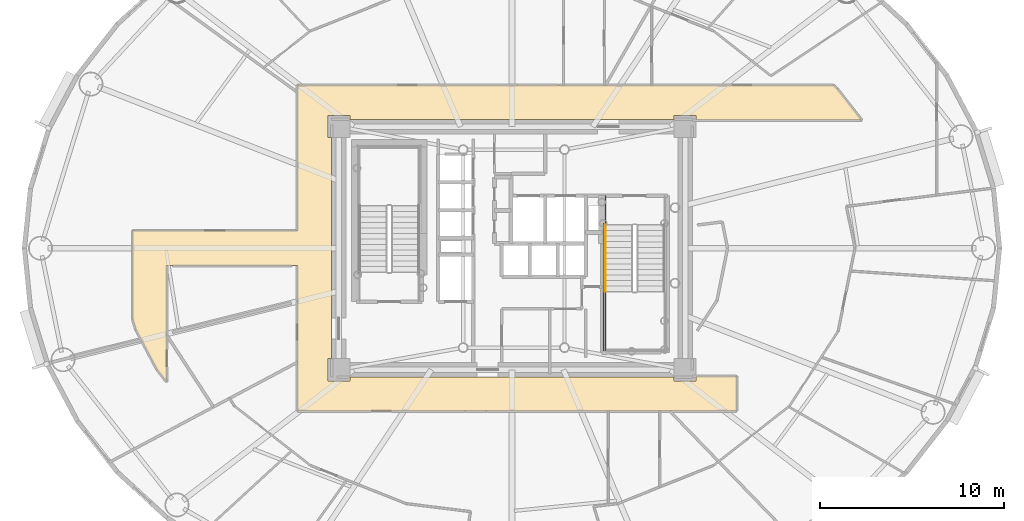
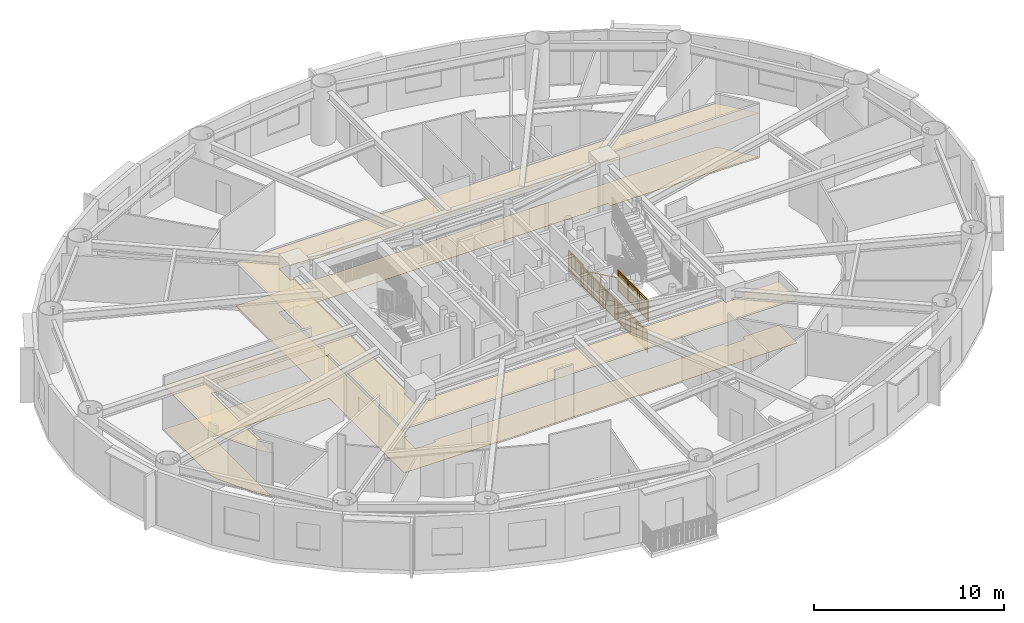
# One storey, part 14 of 17: 4 railings, 2 coverings.
"""IFC4 building model written with IfcOpenShell, lengths in metres."""

from ifc_helpers import new_model, si_unit, direction, frame, origin, origin_2d, place, context, subcontext, project, spatial, polyline, rectangle, outline, extrude, source, transform, mapped, material, layer, layer_set, type_object, element, save


model = new_model("IFC4")

# Units and contexts
model_context = context("Model", 3, precision=1e-05, world=origin(), true_north=direction((0.0, 1.0)))
body_context = subcontext(model_context, "Body", "Model", "MODEL_VIEW")
ifc_project = project(units=[si_unit("LENGTHUNIT", "METRE"), si_unit("AREAUNIT", "SQUARE_METRE"), si_unit("VOLUMEUNIT", "CUBIC_METRE"), si_unit("PLANEANGLEUNIT", "RADIAN"), si_unit("MASSUNIT", "GRAM", prefix="KILO")], contexts=[model_context])

# Site, building, storey
site_placement = place(None, origin())
site = spatial("IfcSite", under=ifc_project, at=site_placement, CompositionType="ELEMENT")
building_placement = place(site_placement, origin())
building = spatial("IfcBuilding", under=site, at=building_placement, Name="Linh Dai School and Residence Tower", CompositionType="ELEMENT")
storey_placement = place(building_placement, frame((0.0, 0.0, 201.14990234375)))
storey = spatial("IfcBuildingStorey", under=building, at=storey_placement, Name="L49", CompositionType="ELEMENT", Elevation=201.14990234375)

# Coverings
ifc_material_1 = material(Name="Mineral Fibre Acoustic Suspended Ceiling", Category="masonry")
ifc_layer_1 = layer(ifc_material_1, 0.02001953125)
ifc_layer_set_1 = layer_set([ifc_layer_1], Name="Mineral Fibre Acoustic Suspended Ceiling")
covering_type_1 = type_object("IfcCoveringType", Name="COV-CEIL-AC-20", PredefinedType="CEILING", material=ifc_layer_set_1)
covering_1_placement = place(storey_placement, frame((0.0, 0.0, 2.800048828125)))
element("IfcCovering", 1, at=covering_1_placement, inside=storey, type_object=covering_type_1, Name="L49 Residential Floor Corridor Suspended Ceiling", PredefinedType="CEILING", context=body_context, shape_type="SweptSolid", body=[
    extrude(outline(polyline([(17.25, 19.734375), (16.720458984375, 20.410888671875), (15.57421875, 22.577880859375), (15.39990234375, 23.14599609375), (15.39990234375, 27.949951171875), (24.35009765625, 27.949951171875), (24.35009765625, 35.85009765625), (53.453857421875, 35.85009765625), (53.6533203125, 35.6669921875), (54.9970703125, 33.949951171875), (46.0, 33.949951171875), (46.0, 34.199951171875), (44.800048828125, 34.199951171875), (44.800048828125, 34.0), (27.199951171875, 34.0), (27.199951171875, 34.199951171875), (26.0, 34.199951171875), (26.0, 33.0), (26.199951171875, 33.0), (26.199951171875, 21.0), (26.0, 21.0), (26.0, 19.800048828125), (27.199951171875, 19.800048828125), (27.199951171875, 20.0), (44.800048828125, 20.0), (44.800048828125, 19.800048828125), (46.0, 19.800048828125), (46.0, 20.050048828125), (48.199951171875, 20.050048828125), (48.199951171875, 18.14990234375), (24.35009765625, 18.14990234375), (24.35009765625, 26.050048828125), (17.25, 26.050048828125), (17.25, 19.734375)])), origin(), (0.0, 0.0, 1.0), 0.02001953125),
])
ifc_material_2 = material(Name="Polished Terrazzo Floor Finish", Category="masonry")
ifc_layer_2 = layer(ifc_material_2, 0.02490234375)
ifc_layer_set_2 = layer_set([ifc_layer_2], Name="Polished Terrazzo Floor Finish")
covering_type_2 = type_object("IfcCoveringType", Name="COV-FLR-TRZ-25", PredefinedType="FLOORING", material=ifc_layer_set_2)
covering_2_placement = place(storey_placement, origin())
element("IfcCovering", 2, at=covering_2_placement, inside=storey, type_object=covering_type_2, Name="L49 Residential Floor Corridor Floor Finish", PredefinedType="FLOORING", context=body_context, shape_type="SweptSolid", body=[
    extrude(outline(polyline([(17.25, 19.734375), (16.720458984375, 20.410888671875), (15.57421875, 22.577880859375), (15.39990234375, 23.14599609375), (15.39990234375, 27.949951171875), (24.35009765625, 27.949951171875), (24.35009765625, 35.85009765625), (53.453857421875, 35.85009765625), (53.6533203125, 35.6669921875), (54.9970703125, 33.949951171875), (46.0, 33.949951171875), (46.0, 34.199951171875), (44.800048828125, 34.199951171875), (44.800048828125, 34.0), (27.199951171875, 34.0), (27.199951171875, 34.199951171875), (26.0, 34.199951171875), (26.0, 33.0), (26.199951171875, 33.0), (26.199951171875, 21.0), (26.0, 21.0), (26.0, 19.800048828125), (27.199951171875, 19.800048828125), (27.199951171875, 20.0), (44.800048828125, 20.0), (44.800048828125, 19.800048828125), (46.0, 19.800048828125), (46.0, 20.050048828125), (48.199951171875, 20.050048828125), (48.199951171875, 18.14990234375), (24.35009765625, 18.14990234375), (24.35009765625, 26.050048828125), (17.25, 26.050048828125), (17.25, 19.734375)])), origin(), (0.0, 0.0, 1.0), 0.02001953125),
])

# Railings
ifc_material_3 = material(Name="Brushed Stainless Steel Handrail", Category="steel")
railing_type_1 = type_object("IfcRailingType", Name="RL-ST-HANDRAIL-900", PredefinedType="HANDRAIL", material=ifc_material_3)
shared_shape_1 = source(origin(), body_context, "Body", "SweptSolid", [
    extrude(rectangle(XDim=0.048095703125, YDim=0.048095703125, at=origin_2d()), frame((0.0, 0.0, 0.8759765625), z_axis=(0.0, -0.901262522062, 0.433273431364), x_axis=(1.0, 0.0, 0.0)), (0.0, 0.0, 1.0), 3.994384765625),
    extrude(rectangle(XDim=0.0419921875, YDim=0.0419921875, at=origin_2d()), origin(), (0.0, 0.0, 1.0), 0.8759765625),
    extrude(rectangle(XDim=0.0419921875, YDim=0.0419921875, at=origin_2d()), frame((0.0, -0.89990234375, 0.4326171875)), (0.0, 0.0, 1.0), 0.8759765625),
    extrude(rectangle(XDim=0.0419921875, YDim=0.0419921875, at=origin_2d()), frame((0.0, -1.800048828125, 0.865234375)), (0.0, 0.0, 1.0), 0.8759765625),
    extrude(rectangle(XDim=0.0419921875, YDim=0.0419921875, at=origin_2d()), frame((0.0, -2.7001953125, 1.298095703125)), (0.0, 0.0, 1.0), 0.8759765625),
    extrude(rectangle(XDim=0.0419921875, YDim=0.0419921875, at=origin_2d()), frame((0.0, -3.60009765625, 1.730712890625)), (0.0, 0.0, 1.0), 0.8759765625),
])
railing_1_placement = place(storey_placement, frame((41.070068359375, 28.25, 0.144287109375)))
element("IfcRailing", 3, at=railing_1_placement, inside=storey, type_object=railing_type_1, Name="L49 ST2 stair handrail 1", PredefinedType="HANDRAIL", context=body_context, shape_type="MappedRepresentation", body=[
    mapped(shared_shape_1, transform((0.0, 0.0, 0.0), x_axis=(1.0, 0.0, 0.0), y_axis=(0.0, 1.0, 0.0), z_axis=(0.0, 0.0, 1.0), scale=1.0)),
])
ifc_material_4 = material(Name="Structural Steel S355JR", Category="steel")
railing_type_2 = type_object("IfcRailingType", Name="RL-ST-GUARD-1400", PredefinedType="GUARDRAIL", material=ifc_material_4)
shared_shape_2 = source(origin(), body_context, "Body", "SweptSolid", [
    extrude(rectangle(XDim=0.048095703125, YDim=0.048095703125, at=origin_2d()), frame((0.0, 0.0, 1.3759765625), z_axis=(0.0, -1.0, 0.0), x_axis=(1.0, 0.0, 0.0)), (0.0, 0.0, 1.0), 1.60009765625),
    extrude(rectangle(XDim=0.048095703125, YDim=0.048095703125, at=origin_2d()), frame((0.0, 0.0, 0.10009765625), z_axis=(0.0, -1.0, 0.0), x_axis=(1.0, 0.0, 0.0)), (0.0, 0.0, 1.0), 1.60009765625),
    extrude(rectangle(XDim=0.030029296875, YDim=0.030029296875, at=origin_2d()), frame((0.0, 0.0, 1.239990234375), z_axis=(0.0, -1.0, 0.0), x_axis=(1.0, 0.0, 0.0)), (0.0, 0.0, 1.0), 1.60009765625),
    extrude(rectangle(XDim=0.02001953125, YDim=0.02001953125, at=origin_2d()), frame((0.0, -0.09423828125, 0.10009765625)), (0.0, 0.0, 1.0), 1.251708984375),
    extrude(rectangle(XDim=0.02001953125, YDim=0.02001953125, at=origin_2d()), frame((0.0, -0.188232421875, 0.10009765625)), (0.0, 0.0, 1.0), 1.251708984375),
    extrude(rectangle(XDim=0.02001953125, YDim=0.02001953125, at=origin_2d()), frame((0.0, -0.282470703125, 0.10009765625)), (0.0, 0.0, 1.0), 1.251708984375),
    extrude(rectangle(XDim=0.02001953125, YDim=0.02001953125, at=origin_2d()), frame((0.0, -0.37646484375, 0.10009765625)), (0.0, 0.0, 1.0), 1.251708984375),
    extrude(rectangle(XDim=0.02001953125, YDim=0.02001953125, at=origin_2d()), frame((0.0, -0.470703125, 0.10009765625)), (0.0, 0.0, 1.0), 1.251708984375),
    extrude(rectangle(XDim=0.02001953125, YDim=0.02001953125, at=origin_2d()), frame((0.0, -0.564697265625, 0.10009765625)), (0.0, 0.0, 1.0), 1.251708984375),
    extrude(rectangle(XDim=0.02001953125, YDim=0.02001953125, at=origin_2d()), frame((0.0, -0.658935546875, 0.10009765625)), (0.0, 0.0, 1.0), 1.251708984375),
    extrude(rectangle(XDim=0.02001953125, YDim=0.02001953125, at=origin_2d()), frame((0.0, -0.7529296875, 0.10009765625)), (0.0, 0.0, 1.0), 1.251708984375),
    extrude(rectangle(XDim=0.02001953125, YDim=0.02001953125, at=origin_2d()), frame((0.0, -0.84716796875, 0.10009765625)), (0.0, 0.0, 1.0), 1.251708984375),
    extrude(rectangle(XDim=0.02001953125, YDim=0.02001953125, at=origin_2d()), frame((0.0, -0.941162109375, 0.10009765625)), (0.0, 0.0, 1.0), 1.251708984375),
    extrude(rectangle(XDim=0.02001953125, YDim=0.02001953125, at=origin_2d()), frame((0.0, -1.035400390625, 0.10009765625)), (0.0, 0.0, 1.0), 1.251708984375),
    extrude(rectangle(XDim=0.02001953125, YDim=0.02001953125, at=origin_2d()), frame((0.0, -1.12939453125, 0.10009765625)), (0.0, 0.0, 1.0), 1.251708984375),
    extrude(rectangle(XDim=0.02001953125, YDim=0.02001953125, at=origin_2d()), frame((0.0, -1.2236328125, 0.10009765625)), (0.0, 0.0, 1.0), 1.251708984375),
    extrude(rectangle(XDim=0.02001953125, YDim=0.02001953125, at=origin_2d()), frame((0.0, -1.317626953125, 0.10009765625)), (0.0, 0.0, 1.0), 1.251708984375),
    extrude(rectangle(XDim=0.02001953125, YDim=0.02001953125, at=origin_2d()), frame((0.0, -1.411865234375, 0.10009765625)), (0.0, 0.0, 1.0), 1.251708984375),
    extrude(rectangle(XDim=0.02001953125, YDim=0.02001953125, at=origin_2d()), frame((0.0, -1.505859375, 0.10009765625)), (0.0, 0.0, 1.0), 1.251708984375),
    extrude(rectangle(XDim=0.0419921875, YDim=0.0419921875, at=origin_2d()), origin(), (0.0, 0.0, 1.0), 1.3759765625),
    extrude(rectangle(XDim=0.0419921875, YDim=0.0419921875, at=origin_2d()), frame((0.0, -0.800048828125, 0.0)), (0.0, 0.0, 1.0), 1.3759765625),
    extrude(rectangle(XDim=0.0419921875, YDim=0.0419921875, at=origin_2d()), frame((0.0, -1.60009765625, 0.0)), (0.0, 0.0, 1.0), 1.3759765625),
])
railing_2_placement = place(storey_placement, frame((41.070068359375, 29.85009765625, 0.0)))
element("IfcRailing", 4, at=railing_2_placement, inside=storey, type_object=railing_type_2, Name="L49 ST2 stair guard 8", PredefinedType="GUARDRAIL", context=body_context, shape_type="MappedRepresentation", body=[
    mapped(shared_shape_2, transform((0.0, 0.0, 0.0), x_axis=(1.0, 0.0, 0.0), y_axis=(0.0, 1.0, 0.0), z_axis=(0.0, 0.0, 1.0), scale=1.0)),
])
shared_shape_3 = source(origin(), body_context, "Body", "SweptSolid", [
    extrude(rectangle(XDim=0.048095703125, YDim=0.048095703125, at=origin_2d()), frame((0.0, 0.0, 1.3759765625), z_axis=(0.0, -1.0, 0.0), x_axis=(1.0, 0.0, 0.0)), (0.0, 0.0, 1.0), 7.0),
    extrude(rectangle(XDim=0.048095703125, YDim=0.048095703125, at=origin_2d()), frame((0.0, 0.0, 0.10009765625), z_axis=(0.0, -1.0, 0.0), x_axis=(1.0, 0.0, 0.0)), (0.0, 0.0, 1.0), 7.0),
    extrude(rectangle(XDim=0.030029296875, YDim=0.030029296875, at=origin_2d()), frame((0.0, 0.0, 1.239990234375), z_axis=(0.0, -1.0, 0.0), x_axis=(1.0, 0.0, 0.0)), (0.0, 0.0, 1.0), 7.0),
    extrude(rectangle(XDim=0.02001953125, YDim=0.02001953125, at=origin_2d()), frame((0.0, -0.09716796875, 0.10009765625)), (0.0, 0.0, 1.0), 1.251708984375),
    extrude(rectangle(XDim=0.02001953125, YDim=0.02001953125, at=origin_2d()), frame((0.0, -0.1943359375, 0.10009765625)), (0.0, 0.0, 1.0), 1.251708984375),
    extrude(rectangle(XDim=0.02001953125, YDim=0.02001953125, at=origin_2d()), frame((0.0, -0.291748046875, 0.10009765625)), (0.0, 0.0, 1.0), 1.251708984375),
    extrude(rectangle(XDim=0.02001953125, YDim=0.02001953125, at=origin_2d()), frame((0.0, -0.388916015625, 0.10009765625)), (0.0, 0.0, 1.0), 1.251708984375),
    extrude(rectangle(XDim=0.02001953125, YDim=0.02001953125, at=origin_2d()), frame((0.0, -0.486083984375, 0.10009765625)), (0.0, 0.0, 1.0), 1.251708984375),
    extrude(rectangle(XDim=0.02001953125, YDim=0.02001953125, at=origin_2d()), frame((0.0, -0.583251953125, 0.10009765625)), (0.0, 0.0, 1.0), 1.251708984375),
    extrude(rectangle(XDim=0.02001953125, YDim=0.02001953125, at=origin_2d()), frame((0.0, -0.6806640625, 0.10009765625)), (0.0, 0.0, 1.0), 1.251708984375),
    extrude(rectangle(XDim=0.02001953125, YDim=0.02001953125, at=origin_2d()), frame((0.0, -0.77783203125, 0.10009765625)), (0.0, 0.0, 1.0), 1.251708984375),
    extrude(rectangle(XDim=0.02001953125, YDim=0.02001953125, at=origin_2d()), frame((0.0, -0.875, 0.10009765625)), (0.0, 0.0, 1.0), 1.251708984375),
    extrude(rectangle(XDim=0.02001953125, YDim=0.02001953125, at=origin_2d()), frame((0.0, -0.97216796875, 0.10009765625)), (0.0, 0.0, 1.0), 1.251708984375),
    extrude(rectangle(XDim=0.02001953125, YDim=0.02001953125, at=origin_2d()), frame((0.0, -1.0693359375, 0.10009765625)), (0.0, 0.0, 1.0), 1.251708984375),
    extrude(rectangle(XDim=0.02001953125, YDim=0.02001953125, at=origin_2d()), frame((0.0, -1.263916015625, 0.10009765625)), (0.0, 0.0, 1.0), 1.251708984375),
    extrude(rectangle(XDim=0.02001953125, YDim=0.02001953125, at=origin_2d()), frame((0.0, -1.361083984375, 0.10009765625)), (0.0, 0.0, 1.0), 1.251708984375),
    extrude(rectangle(XDim=0.02001953125, YDim=0.02001953125, at=origin_2d()), frame((0.0, -1.458251953125, 0.10009765625)), (0.0, 0.0, 1.0), 1.251708984375),
    extrude(rectangle(XDim=0.02001953125, YDim=0.02001953125, at=origin_2d()), frame((0.0, -1.5556640625, 0.10009765625)), (0.0, 0.0, 1.0), 1.251708984375),
    extrude(rectangle(XDim=0.02001953125, YDim=0.02001953125, at=origin_2d()), frame((0.0, -1.65283203125, 0.10009765625)), (0.0, 0.0, 1.0), 1.251708984375),
    extrude(rectangle(XDim=0.02001953125, YDim=0.02001953125, at=origin_2d()), frame((0.0, -1.75, 0.10009765625)), (0.0, 0.0, 1.0), 1.251708984375),
    extrude(rectangle(XDim=0.02001953125, YDim=0.02001953125, at=origin_2d()), frame((0.0, -1.84716796875, 0.10009765625)), (0.0, 0.0, 1.0), 1.251708984375),
    extrude(rectangle(XDim=0.02001953125, YDim=0.02001953125, at=origin_2d()), frame((0.0, -1.9443359375, 0.10009765625)), (0.0, 0.0, 1.0), 1.251708984375),
    extrude(rectangle(XDim=0.02001953125, YDim=0.02001953125, at=origin_2d()), frame((0.0, -2.041748046875, 0.10009765625)), (0.0, 0.0, 1.0), 1.251708984375),
    extrude(rectangle(XDim=0.02001953125, YDim=0.02001953125, at=origin_2d()), frame((0.0, -2.138916015625, 0.10009765625)), (0.0, 0.0, 1.0), 1.251708984375),
    extrude(rectangle(XDim=0.02001953125, YDim=0.02001953125, at=origin_2d()), frame((0.0, -2.236083984375, 0.10009765625)), (0.0, 0.0, 1.0), 1.251708984375),
    extrude(rectangle(XDim=0.02001953125, YDim=0.02001953125, at=origin_2d()), frame((0.0, -2.4306640625, 0.10009765625)), (0.0, 0.0, 1.0), 1.251708984375),
    extrude(rectangle(XDim=0.02001953125, YDim=0.02001953125, at=origin_2d()), frame((0.0, -2.52783203125, 0.10009765625)), (0.0, 0.0, 1.0), 1.251708984375),
    extrude(rectangle(XDim=0.02001953125, YDim=0.02001953125, at=origin_2d()), frame((0.0, -2.625, 0.10009765625)), (0.0, 0.0, 1.0), 1.251708984375),
    extrude(rectangle(XDim=0.02001953125, YDim=0.02001953125, at=origin_2d()), frame((0.0, -2.72216796875, 0.10009765625)), (0.0, 0.0, 1.0), 1.251708984375),
    extrude(rectangle(XDim=0.02001953125, YDim=0.02001953125, at=origin_2d()), frame((0.0, -2.8193359375, 0.10009765625)), (0.0, 0.0, 1.0), 1.251708984375),
    extrude(rectangle(XDim=0.02001953125, YDim=0.02001953125, at=origin_2d()), frame((0.0, -2.916748046875, 0.10009765625)), (0.0, 0.0, 1.0), 1.251708984375),
    extrude(rectangle(XDim=0.02001953125, YDim=0.02001953125, at=origin_2d()), frame((0.0, -3.013916015625, 0.10009765625)), (0.0, 0.0, 1.0), 1.251708984375),
    extrude(rectangle(XDim=0.02001953125, YDim=0.02001953125, at=origin_2d()), frame((0.0, -3.111083984375, 0.10009765625)), (0.0, 0.0, 1.0), 1.251708984375),
    extrude(rectangle(XDim=0.02001953125, YDim=0.02001953125, at=origin_2d()), frame((0.0, -3.208251953125, 0.10009765625)), (0.0, 0.0, 1.0), 1.251708984375),
    extrude(rectangle(XDim=0.02001953125, YDim=0.02001953125, at=origin_2d()), frame((0.0, -3.3056640625, 0.10009765625)), (0.0, 0.0, 1.0), 1.251708984375),
    extrude(rectangle(XDim=0.02001953125, YDim=0.02001953125, at=origin_2d()), frame((0.0, -3.40283203125, 0.10009765625)), (0.0, 0.0, 1.0), 1.251708984375),
    extrude(rectangle(XDim=0.02001953125, YDim=0.02001953125, at=origin_2d()), frame((0.0, -3.59716796875, 0.10009765625)), (0.0, 0.0, 1.0), 1.251708984375),
    extrude(rectangle(XDim=0.02001953125, YDim=0.02001953125, at=origin_2d()), frame((0.0, -3.6943359375, 0.10009765625)), (0.0, 0.0, 1.0), 1.251708984375),
    extrude(rectangle(XDim=0.02001953125, YDim=0.02001953125, at=origin_2d()), frame((0.0, -3.791748046875, 0.10009765625)), (0.0, 0.0, 1.0), 1.251708984375),
    extrude(rectangle(XDim=0.02001953125, YDim=0.02001953125, at=origin_2d()), frame((0.0, -3.888916015625, 0.10009765625)), (0.0, 0.0, 1.0), 1.251708984375),
    extrude(rectangle(XDim=0.02001953125, YDim=0.02001953125, at=origin_2d()), frame((0.0, -3.986083984375, 0.10009765625)), (0.0, 0.0, 1.0), 1.251708984375),
    extrude(rectangle(XDim=0.02001953125, YDim=0.02001953125, at=origin_2d()), frame((0.0, -4.083251953125, 0.10009765625)), (0.0, 0.0, 1.0), 1.251708984375),
    extrude(rectangle(XDim=0.02001953125, YDim=0.02001953125, at=origin_2d()), frame((0.0, -4.1806640625, 0.10009765625)), (0.0, 0.0, 1.0), 1.251708984375),
    extrude(rectangle(XDim=0.02001953125, YDim=0.02001953125, at=origin_2d()), frame((0.0, -4.27783203125, 0.10009765625)), (0.0, 0.0, 1.0), 1.251708984375),
    extrude(rectangle(XDim=0.02001953125, YDim=0.02001953125, at=origin_2d()), frame((0.0, -4.375, 0.10009765625)), (0.0, 0.0, 1.0), 1.251708984375),
    extrude(rectangle(XDim=0.02001953125, YDim=0.02001953125, at=origin_2d()), frame((0.0, -4.47216796875, 0.10009765625)), (0.0, 0.0, 1.0), 1.251708984375),
    extrude(rectangle(XDim=0.02001953125, YDim=0.02001953125, at=origin_2d()), frame((0.0, -4.5693359375, 0.10009765625)), (0.0, 0.0, 1.0), 1.251708984375),
    extrude(rectangle(XDim=0.02001953125, YDim=0.02001953125, at=origin_2d()), frame((0.0, -4.763916015625, 0.10009765625)), (0.0, 0.0, 1.0), 1.251708984375),
    extrude(rectangle(XDim=0.02001953125, YDim=0.02001953125, at=origin_2d()), frame((0.0, -4.861083984375, 0.10009765625)), (0.0, 0.0, 1.0), 1.251708984375),
    extrude(rectangle(XDim=0.02001953125, YDim=0.02001953125, at=origin_2d()), frame((0.0, -4.958251953125, 0.10009765625)), (0.0, 0.0, 1.0), 1.251708984375),
    extrude(rectangle(XDim=0.02001953125, YDim=0.02001953125, at=origin_2d()), frame((0.0, -5.0556640625, 0.10009765625)), (0.0, 0.0, 1.0), 1.251708984375),
    extrude(rectangle(XDim=0.02001953125, YDim=0.02001953125, at=origin_2d()), frame((0.0, -5.15283203125, 0.10009765625)), (0.0, 0.0, 1.0), 1.251708984375),
    extrude(rectangle(XDim=0.02001953125, YDim=0.02001953125, at=origin_2d()), frame((0.0, -5.25, 0.10009765625)), (0.0, 0.0, 1.0), 1.251708984375),
    extrude(rectangle(XDim=0.02001953125, YDim=0.02001953125, at=origin_2d()), frame((0.0, -5.34716796875, 0.10009765625)), (0.0, 0.0, 1.0), 1.251708984375),
    extrude(rectangle(XDim=0.02001953125, YDim=0.02001953125, at=origin_2d()), frame((0.0, -5.4443359375, 0.10009765625)), (0.0, 0.0, 1.0), 1.251708984375),
    extrude(rectangle(XDim=0.02001953125, YDim=0.02001953125, at=origin_2d()), frame((0.0, -5.541748046875, 0.10009765625)), (0.0, 0.0, 1.0), 1.251708984375),
    extrude(rectangle(XDim=0.02001953125, YDim=0.02001953125, at=origin_2d()), frame((0.0, -5.638916015625, 0.10009765625)), (0.0, 0.0, 1.0), 1.251708984375),
    extrude(rectangle(XDim=0.02001953125, YDim=0.02001953125, at=origin_2d()), frame((0.0, -5.736083984375, 0.10009765625)), (0.0, 0.0, 1.0), 1.251708984375),
    extrude(rectangle(XDim=0.02001953125, YDim=0.02001953125, at=origin_2d()), frame((0.0, -5.9306640625, 0.10009765625)), (0.0, 0.0, 1.0), 1.251708984375),
    extrude(rectangle(XDim=0.02001953125, YDim=0.02001953125, at=origin_2d()), frame((0.0, -6.02783203125, 0.10009765625)), (0.0, 0.0, 1.0), 1.251708984375),
    extrude(rectangle(XDim=0.02001953125, YDim=0.02001953125, at=origin_2d()), frame((0.0, -6.125, 0.10009765625)), (0.0, 0.0, 1.0), 1.251708984375),
    extrude(rectangle(XDim=0.02001953125, YDim=0.02001953125, at=origin_2d()), frame((0.0, -6.22216796875, 0.10009765625)), (0.0, 0.0, 1.0), 1.251708984375),
    extrude(rectangle(XDim=0.02001953125, YDim=0.02001953125, at=origin_2d()), frame((0.0, -6.3193359375, 0.10009765625)), (0.0, 0.0, 1.0), 1.251708984375),
    extrude(rectangle(XDim=0.02001953125, YDim=0.02001953125, at=origin_2d()), frame((0.0, -6.416748046875, 0.10009765625)), (0.0, 0.0, 1.0), 1.251708984375),
    extrude(rectangle(XDim=0.02001953125, YDim=0.02001953125, at=origin_2d()), frame((0.0, -6.513916015625, 0.10009765625)), (0.0, 0.0, 1.0), 1.251708984375),
    extrude(rectangle(XDim=0.02001953125, YDim=0.02001953125, at=origin_2d()), frame((0.0, -6.611083984375, 0.10009765625)), (0.0, 0.0, 1.0), 1.251708984375),
    extrude(rectangle(XDim=0.02001953125, YDim=0.02001953125, at=origin_2d()), frame((0.0, -6.708251953125, 0.10009765625)), (0.0, 0.0, 1.0), 1.251708984375),
    extrude(rectangle(XDim=0.02001953125, YDim=0.02001953125, at=origin_2d()), frame((0.0, -6.8056640625, 0.10009765625)), (0.0, 0.0, 1.0), 1.251708984375),
    extrude(rectangle(XDim=0.02001953125, YDim=0.02001953125, at=origin_2d()), frame((0.0, -6.90283203125, 0.10009765625)), (0.0, 0.0, 1.0), 1.251708984375),
    extrude(rectangle(XDim=0.0419921875, YDim=0.0419921875, at=origin_2d()), origin(), (0.0, 0.0, 1.0), 1.3759765625),
    extrude(rectangle(XDim=0.0419921875, YDim=0.0419921875, at=origin_2d()), frame((0.0, -1.166748046875, 0.0)), (0.0, 0.0, 1.0), 1.3759765625),
    extrude(rectangle(XDim=0.0419921875, YDim=0.0419921875, at=origin_2d()), frame((0.0, -2.333251953125, 0.0)), (0.0, 0.0, 1.0), 1.3759765625),
    extrude(rectangle(XDim=0.0419921875, YDim=0.0419921875, at=origin_2d()), frame((0.0, -3.5, 0.0)), (0.0, 0.0, 1.0), 1.3759765625),
    extrude(rectangle(XDim=0.0419921875, YDim=0.0419921875, at=origin_2d()), frame((0.0, -4.666748046875, 0.0)), (0.0, 0.0, 1.0), 1.3759765625),
    extrude(rectangle(XDim=0.0419921875, YDim=0.0419921875, at=origin_2d()), frame((0.0, -5.833251953125, 0.0)), (0.0, 0.0, 1.0), 1.3759765625),
    extrude(rectangle(XDim=0.0419921875, YDim=0.0419921875, at=origin_2d()), frame((0.0, -7.0, 0.0)), (0.0, 0.0, 1.0), 1.3759765625),
])
railing_3_placement = place(storey_placement, frame((40.969970703125, 28.35009765625, 0.0)))
element("IfcRailing", 5, at=railing_3_placement, inside=storey, type_object=railing_type_2, Name="L49 ST2 stair guard 10", PredefinedType="GUARDRAIL", context=body_context, shape_type="MappedRepresentation", body=[
    mapped(shared_shape_3, transform((0.0, 0.0, 0.0), x_axis=(1.0, 0.0, 0.0), y_axis=(0.0, 1.0, 0.0), z_axis=(0.0, 0.0, 1.0), scale=1.0)),
])
shared_shape_4 = source(origin(), body_context, "Body", "SweptSolid", [
    extrude(rectangle(XDim=0.048095703125, YDim=0.048095703125, at=origin_2d()), frame((0.0, 0.0, 1.3759765625), z_axis=(0.0, -1.0, 0.0), x_axis=(1.0, 0.0, 0.0)), (0.0, 0.0, 1.0), 3.199951171875),
    extrude(rectangle(XDim=0.048095703125, YDim=0.048095703125, at=origin_2d()), frame((0.0, 0.0, 0.10009765625), z_axis=(0.0, -1.0, 0.0), x_axis=(1.0, 0.0, 0.0)), (0.0, 0.0, 1.0), 3.199951171875),
    extrude(rectangle(XDim=0.030029296875, YDim=0.030029296875, at=origin_2d()), frame((0.0, 0.0, 1.239990234375), z_axis=(0.0, -1.0, 0.0), x_axis=(1.0, 0.0, 0.0)), (0.0, 0.0, 1.0), 3.199951171875),
    extrude(rectangle(XDim=0.02001953125, YDim=0.02001953125, at=origin_2d()), frame((0.0, -0.096923828125, 0.10009765625)), (0.0, 0.0, 1.0), 1.251708984375),
    extrude(rectangle(XDim=0.02001953125, YDim=0.02001953125, at=origin_2d()), frame((0.0, -0.19384765625, 0.10009765625)), (0.0, 0.0, 1.0), 1.251708984375),
    extrude(rectangle(XDim=0.02001953125, YDim=0.02001953125, at=origin_2d()), frame((0.0, -0.291015625, 0.10009765625)), (0.0, 0.0, 1.0), 1.251708984375),
    extrude(rectangle(XDim=0.02001953125, YDim=0.02001953125, at=origin_2d()), frame((0.0, -0.387939453125, 0.10009765625)), (0.0, 0.0, 1.0), 1.251708984375),
    extrude(rectangle(XDim=0.02001953125, YDim=0.02001953125, at=origin_2d()), frame((0.0, -0.48486328125, 0.10009765625)), (0.0, 0.0, 1.0), 1.251708984375),
    extrude(rectangle(XDim=0.02001953125, YDim=0.02001953125, at=origin_2d()), frame((0.0, -0.581787109375, 0.10009765625)), (0.0, 0.0, 1.0), 1.251708984375),
    extrude(rectangle(XDim=0.02001953125, YDim=0.02001953125, at=origin_2d()), frame((0.0, -0.6787109375, 0.10009765625)), (0.0, 0.0, 1.0), 1.251708984375),
    extrude(rectangle(XDim=0.02001953125, YDim=0.02001953125, at=origin_2d()), frame((0.0, -0.775634765625, 0.10009765625)), (0.0, 0.0, 1.0), 1.251708984375),
    extrude(rectangle(XDim=0.02001953125, YDim=0.02001953125, at=origin_2d()), frame((0.0, -0.872802734375, 0.10009765625)), (0.0, 0.0, 1.0), 1.251708984375),
    extrude(rectangle(XDim=0.02001953125, YDim=0.02001953125, at=origin_2d()), frame((0.0, -0.9697265625, 0.10009765625)), (0.0, 0.0, 1.0), 1.251708984375),
    extrude(rectangle(XDim=0.02001953125, YDim=0.02001953125, at=origin_2d()), frame((0.0, -1.16357421875, 0.10009765625)), (0.0, 0.0, 1.0), 1.251708984375),
    extrude(rectangle(XDim=0.02001953125, YDim=0.02001953125, at=origin_2d()), frame((0.0, -1.260498046875, 0.10009765625)), (0.0, 0.0, 1.0), 1.251708984375),
    extrude(rectangle(XDim=0.02001953125, YDim=0.02001953125, at=origin_2d()), frame((0.0, -1.357666015625, 0.10009765625)), (0.0, 0.0, 1.0), 1.251708984375),
    extrude(rectangle(XDim=0.02001953125, YDim=0.02001953125, at=origin_2d()), frame((0.0, -1.45458984375, 0.10009765625)), (0.0, 0.0, 1.0), 1.251708984375),
    extrude(rectangle(XDim=0.02001953125, YDim=0.02001953125, at=origin_2d()), frame((0.0, -1.551513671875, 0.10009765625)), (0.0, 0.0, 1.0), 1.251708984375),
    extrude(rectangle(XDim=0.02001953125, YDim=0.02001953125, at=origin_2d()), frame((0.0, -1.6484375, 0.10009765625)), (0.0, 0.0, 1.0), 1.251708984375),
    extrude(rectangle(XDim=0.02001953125, YDim=0.02001953125, at=origin_2d()), frame((0.0, -1.745361328125, 0.10009765625)), (0.0, 0.0, 1.0), 1.251708984375),
    extrude(rectangle(XDim=0.02001953125, YDim=0.02001953125, at=origin_2d()), frame((0.0, -1.84228515625, 0.10009765625)), (0.0, 0.0, 1.0), 1.251708984375),
    extrude(rectangle(XDim=0.02001953125, YDim=0.02001953125, at=origin_2d()), frame((0.0, -1.939453125, 0.10009765625)), (0.0, 0.0, 1.0), 1.251708984375),
    extrude(rectangle(XDim=0.02001953125, YDim=0.02001953125, at=origin_2d()), frame((0.0, -2.036376953125, 0.10009765625)), (0.0, 0.0, 1.0), 1.251708984375),
    extrude(rectangle(XDim=0.02001953125, YDim=0.02001953125, at=origin_2d()), frame((0.0, -2.230224609375, 0.10009765625)), (0.0, 0.0, 1.0), 1.251708984375),
    extrude(rectangle(XDim=0.02001953125, YDim=0.02001953125, at=origin_2d()), frame((0.0, -2.3271484375, 0.10009765625)), (0.0, 0.0, 1.0), 1.251708984375),
    extrude(rectangle(XDim=0.02001953125, YDim=0.02001953125, at=origin_2d()), frame((0.0, -2.42431640625, 0.10009765625)), (0.0, 0.0, 1.0), 1.251708984375),
    extrude(rectangle(XDim=0.02001953125, YDim=0.02001953125, at=origin_2d()), frame((0.0, -2.521240234375, 0.10009765625)), (0.0, 0.0, 1.0), 1.251708984375),
    extrude(rectangle(XDim=0.02001953125, YDim=0.02001953125, at=origin_2d()), frame((0.0, -2.6181640625, 0.10009765625)), (0.0, 0.0, 1.0), 1.251708984375),
    extrude(rectangle(XDim=0.02001953125, YDim=0.02001953125, at=origin_2d()), frame((0.0, -2.715087890625, 0.10009765625)), (0.0, 0.0, 1.0), 1.251708984375),
    extrude(rectangle(XDim=0.02001953125, YDim=0.02001953125, at=origin_2d()), frame((0.0, -2.81201171875, 0.10009765625)), (0.0, 0.0, 1.0), 1.251708984375),
    extrude(rectangle(XDim=0.02001953125, YDim=0.02001953125, at=origin_2d()), frame((0.0, -2.908935546875, 0.10009765625)), (0.0, 0.0, 1.0), 1.251708984375),
    extrude(rectangle(XDim=0.02001953125, YDim=0.02001953125, at=origin_2d()), frame((0.0, -3.006103515625, 0.10009765625)), (0.0, 0.0, 1.0), 1.251708984375),
    extrude(rectangle(XDim=0.02001953125, YDim=0.02001953125, at=origin_2d()), frame((0.0, -3.10302734375, 0.10009765625)), (0.0, 0.0, 1.0), 1.251708984375),
    extrude(rectangle(XDim=0.0419921875, YDim=0.0419921875, at=origin_2d()), origin(), (0.0, 0.0, 1.0), 1.3759765625),
    extrude(rectangle(XDim=0.0419921875, YDim=0.0419921875, at=origin_2d()), frame((0.0, -1.066650390625, 0.0)), (0.0, 0.0, 1.0), 1.3759765625),
    extrude(rectangle(XDim=0.0419921875, YDim=0.0419921875, at=origin_2d()), frame((0.0, -2.13330078125, 0.0)), (0.0, 0.0, 1.0), 1.3759765625),
    extrude(rectangle(XDim=0.0419921875, YDim=0.0419921875, at=origin_2d()), frame((0.0, -3.199951171875, 0.0)), (0.0, 0.0, 1.0), 1.3759765625),
])
railing_4_placement = place(storey_placement, frame((41.070068359375, 24.64990234375, 1.875)))
element("IfcRailing", 6, at=railing_4_placement, inside=storey, type_object=railing_type_2, Name="L49 ST2 stair guard 3", PredefinedType="GUARDRAIL", context=body_context, shape_type="MappedRepresentation", body=[
    mapped(shared_shape_4, transform((0.0, 0.0, 0.0), x_axis=(1.0, 0.0, 0.0), y_axis=(0.0, 1.0, 0.0), z_axis=(0.0, 0.0, 1.0), scale=1.0)),
])

save(model, "model.ifc")
